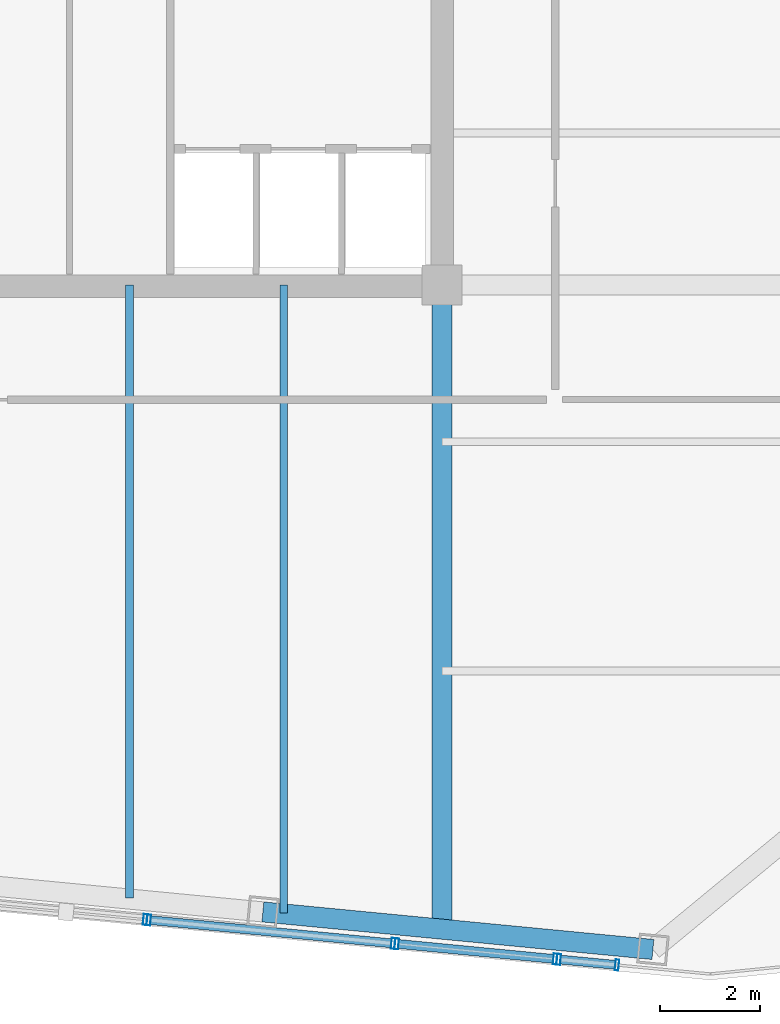
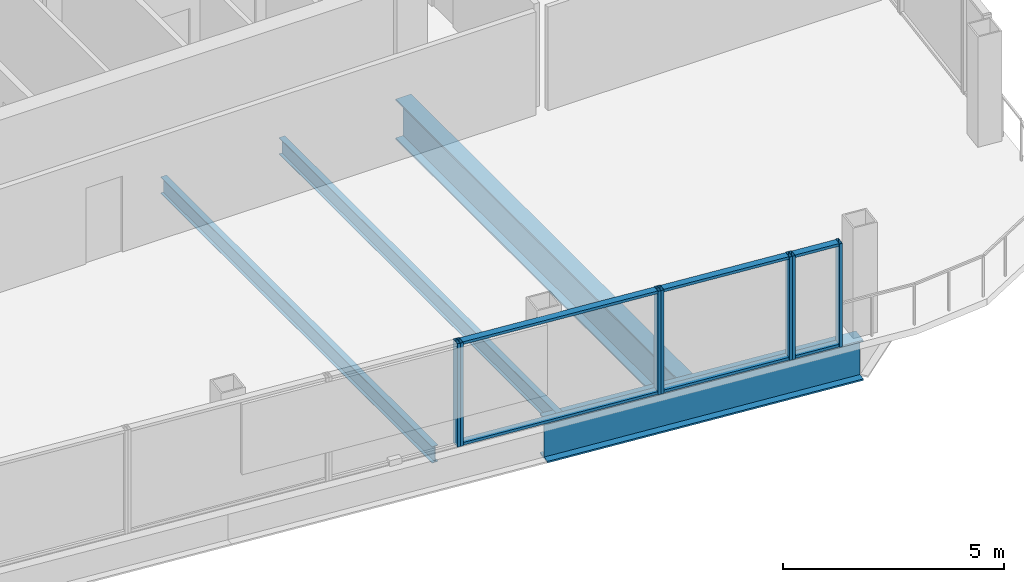
# One storey, part 5 of 22: 13 members, 4 beams, 4 elements without a shape of their own.
"""IFC4 building model written with IfcOpenShell, lengths in metres."""

from ifc_helpers import new_model, si_unit, direction, frame, origin, origin_2d, place, context, subcontext, project, spatial, hollow_rectangle, i_section, extrude, material, layer, layer_set, material_profile, profile_set, type_object, element, aggregate, save


model = new_model("IFC4")

# Units and contexts
model_context = context("Model", 3, precision=1e-05, world=origin(), true_north=direction((0.0, 1.0)))
body_context = subcontext(model_context, "Body", "Model", "MODEL_VIEW")
ifc_project = project(units=[si_unit("LENGTHUNIT", "METRE"), si_unit("AREAUNIT", "SQUARE_METRE"), si_unit("VOLUMEUNIT", "CUBIC_METRE"), si_unit("PLANEANGLEUNIT", "RADIAN"), si_unit("MASSUNIT", "GRAM", prefix="KILO")], contexts=[model_context])

# Site, building, storey
site_placement = place(None, origin())
site = spatial("IfcSite", under=ifc_project, at=site_placement, CompositionType="ELEMENT")
building_placement = place(site_placement, origin())
building = spatial("IfcBuilding", under=site, at=building_placement, Name="Qhalaya Broadcast Tower", CompositionType="ELEMENT")
storey_placement = place(building_placement, frame((0.0, 0.0, 245.89990234375)))
storey = spatial("IfcBuildingStorey", under=building, at=storey_placement, Name="L72", CompositionType="ELEMENT", Elevation=245.89990234375)

# Beams
ifc_material_1 = material(Name="Structural Steel ASTM A992 Grade 50", Category="steel")
ifc_material_profile_1 = material_profile(ifc_material_1, i_section(OverallWidth=0.154052734375, OverallDepth=0.458984375, WebThickness=0.009033203125, FlangeThickness=0.015380859375, at=origin_2d()), Name="W18X46")
ifc_profile_set_1 = profile_set([ifc_material_profile_1], Name="Structural Steel ASTM A992 Grade 50")
beam_type_1 = type_object("IfcBeamType", Name="Composite Floor Joist J04", PredefinedType="JOIST", material=ifc_profile_set_1)
beam_1_placement = place(storey_placement, frame((3.10009765625, -21.058349609375, -0.41943359375), z_axis=(0.0, 1.0, 0.0), x_axis=(-1.0, 0.0, 0.0)))
element("IfcBeam", 1, at=beam_1_placement, inside=storey, type_object=beam_type_1, Name="L72 J04 L72-JNS4-1", PredefinedType="JOIST", context=body_context, shape_type="SweptSolid", body=[
    extrude(i_section(OverallWidth=0.154052734375, OverallDepth=0.458984375, WebThickness=0.009033203125, FlangeThickness=0.015380859375, at=origin_2d()), origin(), (0.0, 0.0, 1.0), 12.308349609375),
])
beam_2_placement = place(storey_placement, frame((6.199951171875, -21.35693359375, -0.41943359375), z_axis=(0.0, 1.0, 0.0), x_axis=(-1.0, 0.0, 0.0)))
element("IfcBeam", 2, at=beam_2_placement, inside=storey, type_object=beam_type_1, Name="L72 J04 L72-JNS5-1", PredefinedType="JOIST", context=body_context, shape_type="SweptSolid", body=[
    extrude(i_section(OverallWidth=0.154052734375, OverallDepth=0.458984375, WebThickness=0.009033203125, FlangeThickness=0.015380859375, at=origin_2d()), origin(), (0.0, 0.0, 1.0), 12.60693359375),
])
ifc_material_profile_2 = material_profile(ifc_material_1, i_section(OverallWidth=0.404052734375, OverallDepth=1.117919921875, WebThickness=0.026123046875, FlangeThickness=0.044921875, at=origin_2d()), Name="W44X335")
ifc_profile_set_2 = profile_set([ifc_material_profile_2], Name="Structural Steel ASTM A992 Grade 50")
beam_type_2 = type_object("IfcBeamType", Name="Podium Long-Span Primary Girder PG1", PredefinedType="USERDEFINED", material=ifc_profile_set_2)
beam_3_placement = place(storey_placement, frame((5.77783203125, -21.33642578125, -0.7490234375), z_axis=(0.995397308407, -0.095834223619, 0.0), x_axis=(0.095834223619, 0.995397308407, 0.0)))
element("IfcBeam", 3, at=beam_3_placement, inside=storey, type_object=beam_type_2, Name="L72 PG1 L72-SPR-03", ObjectType="GIRDER", PredefinedType="USERDEFINED", context=body_context, shape_type="SweptSolid", body=[
    extrude(i_section(OverallWidth=0.404052734375, OverallDepth=1.117919921875, WebThickness=0.026123046875, FlangeThickness=0.044921875, at=origin_2d()), origin(), (0.0, 0.0, 1.0), 7.86669921875),
])
beam_4_placement = place(storey_placement, frame((9.375, -21.66259765625, -0.7490234375), z_axis=(0.0, 1.0, 0.0), x_axis=(-1.0, 0.0, 0.0)))
element("IfcBeam", 4, at=beam_4_placement, inside=storey, type_object=beam_type_2, Name="L72 PG1 L72-PGXS2-1", ObjectType="GIRDER", PredefinedType="USERDEFINED", context=body_context, shape_type="SweptSolid", body=[
    extrude(i_section(OverallWidth=0.404052734375, OverallDepth=1.117919921875, WebThickness=0.026123046875, FlangeThickness=0.044921875, at=origin_2d()), origin(), (0.0, 0.0, 1.0), 12.91259765625),
])

# Curtain wall, member
ifc_material_2 = material(Name="Solar-Control Low-E Triple Glazing", Category="glass")
ifc_layer_1 = layer(ifc_material_2, 0.219970703125, Name="Solar-Control Low-E Triple Glazing")
ifc_layer_set_1 = layer_set([ifc_layer_1], Name="Solar-Control Low-E Triple Glazing")
curtain_wall_type_1 = type_object("IfcCurtainWallType", Name="High-Altitude Upper-Shaft Triple Low-E Curtain Wall CW-04", PredefinedType="NOTDEFINED", material=ifc_layer_set_1)
curtain_wall_1_placement = place(storey_placement, origin())
curtain_wall_1 = element("IfcCurtainWall", 5, at=curtain_wall_1_placement, inside=storey, type_object=curtain_wall_type_1, Name="L72 Unitised Curtain Wall L72-CW-S4", PredefinedType="NOTDEFINED")
ifc_material_3 = material(Name="Anodised Aluminium 6063-T6", Category="aluminium")
ifc_material_profile_3 = material_profile(ifc_material_3, hollow_rectangle(XDim=0.074951171875, YDim=0.219970703125, WallThickness=0.00390625, at=origin_2d()), Name="ALU-MUL 75x220x4")
ifc_profile_set_3 = profile_set([ifc_material_profile_3], Name="Anodised Aluminium 6063-T6")
member_type_1 = type_object("IfcMemberType", Name="Unitised Curtain-Wall Mullion M01", PredefinedType="MULLION", material=ifc_profile_set_3)
member_1_placement = place(storey_placement, frame((3.414306640625, -21.49072265625, 0.0), z_axis=(0.0, 0.0, 1.0), x_axis=(0.995396959799, -0.095837844424, 0.0)))
member_1 = element("IfcMember", 6, at=member_1_placement, type_object=member_type_1, Name="CW-04 mullion 2", PredefinedType="MULLION", context=body_context, shape_type="SweptSolid", body=[
    extrude(hollow_rectangle(XDim=0.074951171875, YDim=0.219970703125, WallThickness=0.00390625, at=origin_2d()), origin(), (0.0, 0.0, 1.0), 2.860107421875),
])
aggregate(curtain_wall_1, [member_1])

# Curtain wall, members
ifc_material_4 = material(Name="Fired Architectural Terracotta", Category="masonry")
ifc_layer_2 = layer(ifc_material_4, 0.219970703125, Name="Fired Architectural Terracotta")
ifc_layer_set_2 = layer_set([ifc_layer_2], Name="Fired Architectural Terracotta")
curtain_wall_type_2 = type_object("IfcCurtainWallType", Name="Block-Cap Unitised Terracotta Spandrel Wall CW-07", PredefinedType="NOTDEFINED", material=ifc_layer_set_2)
curtain_wall_2_placement = place(storey_placement, origin())
curtain_wall_2 = element("IfcCurtainWall", 7, at=curtain_wall_2_placement, inside=storey, type_object=curtain_wall_type_2, Name="L72 Unitised Curtain Wall L72-CW-S5", PredefinedType="NOTDEFINED")
member_2_placement = place(storey_placement, frame((3.489013671875, -21.497802734375, 0.0), z_axis=(0.0, 0.0, 1.0), x_axis=(0.995394873929, -0.095859506338, 0.0)))
member_2 = element("IfcMember", 8, at=member_2_placement, type_object=member_type_1, Name="CW-07 mullion 1", PredefinedType="MULLION", context=body_context, shape_type="SweptSolid", body=[
    extrude(hollow_rectangle(XDim=0.074951171875, YDim=0.219970703125, WallThickness=0.00390625, at=origin_2d()), origin(), (0.0, 0.0, 1.0), 2.860107421875),
])
member_3_placement = place(storey_placement, frame((8.391357421875, -21.969970703125, 0.0), z_axis=(0.0, 0.0, 1.0), x_axis=(0.995394873929, -0.095859506338, 0.0)))
member_3 = element("IfcMember", 9, at=member_3_placement, type_object=member_type_1, Name="CW-07 mullion 2", PredefinedType="MULLION", context=body_context, shape_type="SweptSolid", body=[
    extrude(hollow_rectangle(XDim=0.074951171875, YDim=0.219970703125, WallThickness=0.00390625, at=origin_2d()), origin(), (0.0, 0.0, 1.0), 2.860107421875),
])

curtain_wall_3_placement = place(storey_placement, origin())
curtain_wall_3 = element("IfcCurtainWall", 10, at=curtain_wall_3_placement, inside=storey, type_object=curtain_wall_type_1, Name="L72 Unitised Curtain Wall L72-CW-S6", PredefinedType="NOTDEFINED")
member_4_placement = place(storey_placement, frame((8.466064453125, -21.97705078125, 0.0), z_axis=(0.0, 0.0, 1.0), x_axis=(0.995397132343, -0.095836052317, 0.0)))
member_4 = element("IfcMember", 11, at=member_4_placement, type_object=member_type_1, Name="CW-04 mullion 1", PredefinedType="MULLION", context=body_context, shape_type="SweptSolid", body=[
    extrude(hollow_rectangle(XDim=0.074951171875, YDim=0.219970703125, WallThickness=0.00390625, at=origin_2d()), origin(), (0.0, 0.0, 1.0), 2.860107421875),
])
member_5_placement = place(storey_placement, frame((11.643310546875, -22.282958984375, 0.0), z_axis=(0.0, 0.0, 1.0), x_axis=(0.995397132343, -0.095836052317, 0.0)))
member_5 = element("IfcMember", 12, at=member_5_placement, type_object=member_type_1, Name="CW-04 mullion 2", PredefinedType="MULLION", context=body_context, shape_type="SweptSolid", body=[
    extrude(hollow_rectangle(XDim=0.074951171875, YDim=0.219970703125, WallThickness=0.00390625, at=origin_2d()), origin(), (0.0, 0.0, 1.0), 2.860107421875),
])

curtain_wall_4_placement = place(storey_placement, origin())
curtain_wall_4 = element("IfcCurtainWall", 13, at=curtain_wall_4_placement, inside=storey, type_object=curtain_wall_type_2, Name="L72 Unitised Curtain Wall L72-CW-S7", PredefinedType="NOTDEFINED")
member_6_placement = place(storey_placement, frame((11.718017578125, -22.290283203125, 0.0), z_axis=(0.0, 0.0, 1.0), x_axis=(0.995396414656, -0.095843506251, 0.0)))
member_6 = element("IfcMember", 14, at=member_6_placement, type_object=member_type_1, Name="CW-07 mullion 1", PredefinedType="MULLION", context=body_context, shape_type="SweptSolid", body=[
    extrude(hollow_rectangle(XDim=0.074951171875, YDim=0.219970703125, WallThickness=0.00390625, at=origin_2d()), origin(), (0.0, 0.0, 1.0), 2.860107421875),
])
member_7_placement = place(storey_placement, frame((12.887451171875, -22.40283203125, 0.0), z_axis=(0.0, 0.0, 1.0), x_axis=(0.995396414656, -0.095843506251, 0.0)))
member_7 = element("IfcMember", 15, at=member_7_placement, type_object=member_type_1, Name="CW-07 mullion 2", PredefinedType="MULLION", context=body_context, shape_type="SweptSolid", body=[
    extrude(hollow_rectangle(XDim=0.074951171875, YDim=0.219970703125, WallThickness=0.00390625, at=origin_2d()), origin(), (0.0, 0.0, 1.0), 2.860107421875),
])

# Member
ifc_material_profile_4 = material_profile(ifc_material_3, hollow_rectangle(XDim=0.074951171875, YDim=0.179931640625, WallThickness=0.00390625, at=origin_2d()), Name="ALU-TRN 75x180x4")
ifc_profile_set_4 = profile_set([ifc_material_profile_4], Name="Anodised Aluminium 6063-T6")
member_type_2 = type_object("IfcMemberType", Name="Unitised Curtain-Wall Transom T01", PredefinedType="USERDEFINED", material=ifc_profile_set_4)
member_8_placement = place(storey_placement, frame((3.5263671875, -21.50146484375, 0.03759765625), z_axis=(0.995396292684, -0.095844772998, 0.0), x_axis=(0.0, 0.0, 1.0)))
member_8 = element("IfcMember", 16, at=member_8_placement, type_object=member_type_2, Name="CW-07 transom 1.1", ObjectType="TRANSOM", PredefinedType="USERDEFINED", context=body_context, shape_type="SweptSolid", body=[
    extrude(hollow_rectangle(XDim=0.074951171875, YDim=0.179931640625, WallThickness=0.00390625, at=origin_2d()), origin(), (0.0, 0.0, 1.0), 4.849853515625),
])

member_9_placement = place(storey_placement, frame((3.5263671875, -21.50146484375, 2.822509765625), z_axis=(0.995396292684, -0.095844772998, 0.0), x_axis=(0.0, 0.0, 1.0)))
member_9 = element("IfcMember", 17, at=member_9_placement, type_object=member_type_2, Name="CW-07 transom 1.2", ObjectType="TRANSOM", PredefinedType="USERDEFINED", context=body_context, shape_type="SweptSolid", body=[
    extrude(hollow_rectangle(XDim=0.074951171875, YDim=0.179931640625, WallThickness=0.00390625, at=origin_2d()), origin(), (0.0, 0.0, 1.0), 4.849853515625),
])

aggregate(curtain_wall_2, [member_2, member_3, member_8, member_9])

member_10_placement = place(storey_placement, frame((8.50341796875, -21.980712890625, 0.03759765625), z_axis=(0.995400988936, -0.095795987525, 0.0), x_axis=(0.0, 0.0, 1.0)))
member_10 = element("IfcMember", 18, at=member_10_placement, type_object=member_type_2, Name="CW-04 transom 1.1", ObjectType="TRANSOM", PredefinedType="USERDEFINED", context=body_context, shape_type="SweptSolid", body=[
    extrude(hollow_rectangle(XDim=0.074951171875, YDim=0.179931640625, WallThickness=0.00390625, at=origin_2d()), origin(), (0.0, 0.0, 1.0), 3.116943359375),
])

member_11_placement = place(storey_placement, frame((8.50341796875, -21.980712890625, 2.822509765625), z_axis=(0.995400988936, -0.095795987525, 0.0), x_axis=(0.0, 0.0, 1.0)))
member_11 = element("IfcMember", 19, at=member_11_placement, type_object=member_type_2, Name="CW-04 transom 1.2", ObjectType="TRANSOM", PredefinedType="USERDEFINED", context=body_context, shape_type="SweptSolid", body=[
    extrude(hollow_rectangle(XDim=0.074951171875, YDim=0.179931640625, WallThickness=0.00390625, at=origin_2d()), origin(), (0.0, 0.0, 1.0), 3.116943359375),
])

aggregate(curtain_wall_3, [member_4, member_5, member_10, member_11])

member_12_placement = place(storey_placement, frame((11.75537109375, -22.293701171875, 0.03759765625), z_axis=(0.995393156894, -0.095877334176, 0.0), x_axis=(0.0, 0.0, 1.0)))
member_12 = element("IfcMember", 20, at=member_12_placement, type_object=member_type_2, Name="CW-07 transom 1.1", ObjectType="TRANSOM", PredefinedType="USERDEFINED", context=body_context, shape_type="SweptSolid", body=[
    extrude(hollow_rectangle(XDim=0.074951171875, YDim=0.179931640625, WallThickness=0.00390625, at=origin_2d()), origin(), (0.0, 0.0, 1.0), 1.10009765625),
])

member_13_placement = place(storey_placement, frame((11.75537109375, -22.293701171875, 2.822509765625), z_axis=(0.995393156894, -0.095877334176, 0.0), x_axis=(0.0, 0.0, 1.0)))
member_13 = element("IfcMember", 21, at=member_13_placement, type_object=member_type_2, Name="CW-07 transom 1.2", ObjectType="TRANSOM", PredefinedType="USERDEFINED", context=body_context, shape_type="SweptSolid", body=[
    extrude(hollow_rectangle(XDim=0.074951171875, YDim=0.179931640625, WallThickness=0.00390625, at=origin_2d()), origin(), (0.0, 0.0, 1.0), 1.10009765625),
])

aggregate(curtain_wall_4, [member_6, member_7, member_12, member_13])

save(model, "model.ifc")
